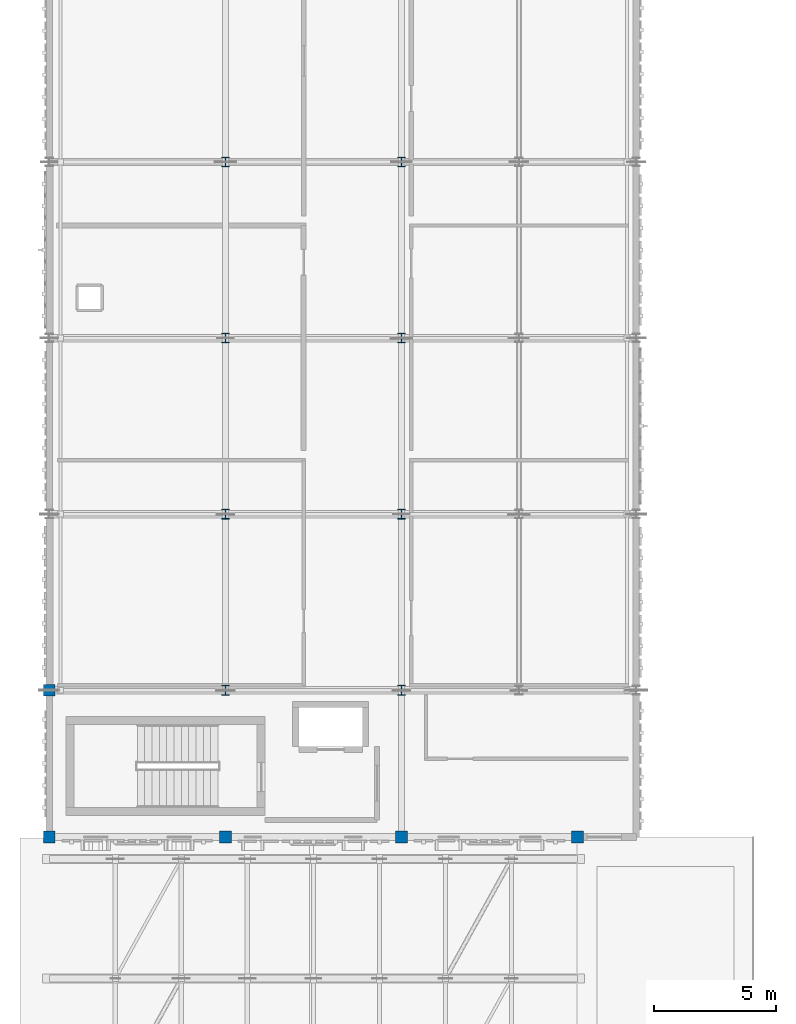
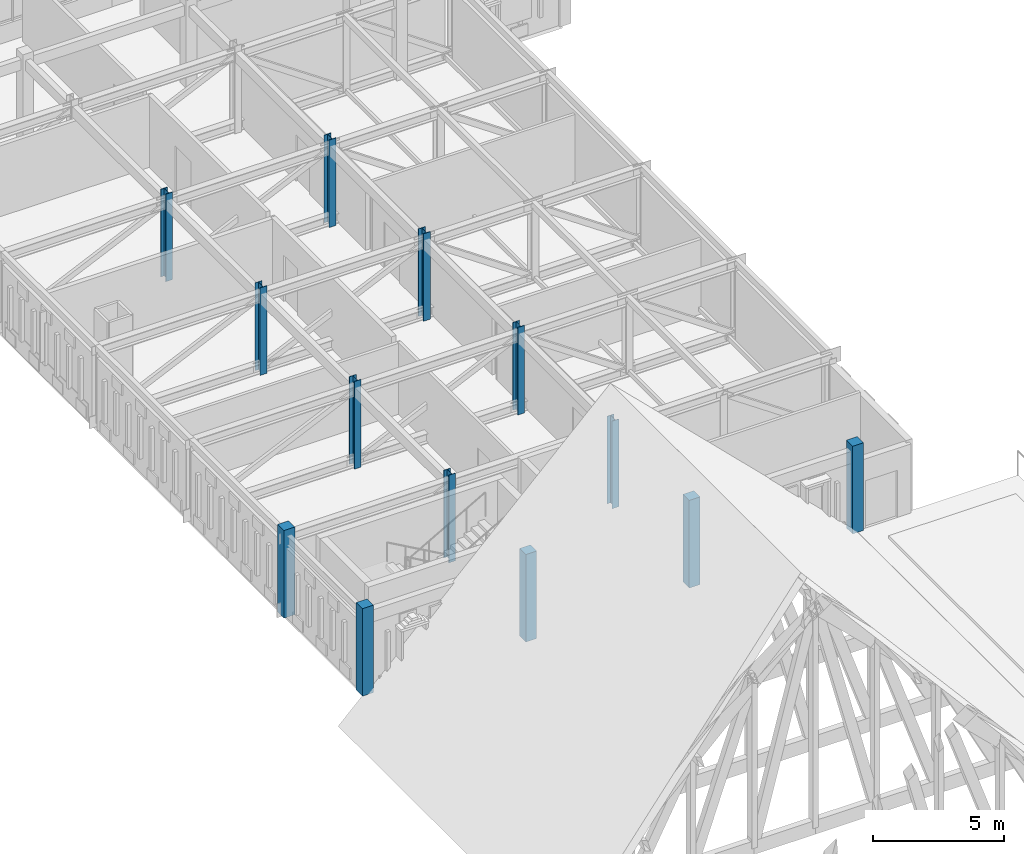
# One storey, part 1 of 79: 13 columns.
"""IFC4 building model written with IfcOpenShell, lengths in metres."""

from ifc_helpers import new_model, si_unit, direction, frame, origin, origin_2d, place, context, subcontext, project, spatial, rectangle, i_section, extrude, material, material_profile, profile_set, type_object, element, save


model = new_model("IFC4")

# Units and contexts
model_context = context("Model", 3, precision=1e-05, world=origin(), true_north=direction((0.0, 1.0)))
body_context = subcontext(model_context, "Body", "Model", "MODEL_VIEW")
ifc_project = project(units=[si_unit("LENGTHUNIT", "METRE"), si_unit("AREAUNIT", "SQUARE_METRE"), si_unit("VOLUMEUNIT", "CUBIC_METRE"), si_unit("PLANEANGLEUNIT", "RADIAN"), si_unit("MASSUNIT", "GRAM", prefix="KILO")], contexts=[model_context])

# Site, building, storey
site_placement = place(None, origin())
site = spatial("IfcSite", under=ifc_project, at=site_placement, CompositionType="ELEMENT")
building_placement = place(site_placement, origin())
building = spatial("IfcBuilding", under=site, at=building_placement, Name="Nzembalo Square Collegiate School", CompositionType="ELEMENT")
storey_placement = place(building_placement, frame((0.0, 0.0, 9.52001953125)))
storey = spatial("IfcBuildingStorey", under=building, at=storey_placement, Name="L02", CompositionType="ELEMENT", Elevation=9.52001953125)

# Columns
ifc_material_1 = material(Name="Glulam GL28h", Category="wood")
ifc_material_profile_1 = material_profile(ifc_material_1, rectangle(XDim=0.47998046875, YDim=0.47998046875, at=origin_2d()), Name="GL28h 480x480")
ifc_profile_set_1 = profile_set([ifc_material_profile_1], Name="Glulam GL28h")
column_type_1 = type_object("IfcColumnType", Name="C05", PredefinedType="COLUMN", material=ifc_profile_set_1)
for number, where, z_axis, x_axis, name in (
    (1, (8.39990234375, 44.39990234375, 0.0), (0.0, 0.0, 1.0), (1.0, 0.0, 0.0), "Column C05 L02 2/G"),
    (2, (8.39990234375, 50.39990234375, 0.0), (0.0, 0.0, 1.0), (1.0, 0.0, 0.0), "Column C05 L02 2/H"),
    (3, (15.60009765625, 44.39990234375, 0.0), (0.0, 0.0, 1.0), (1.0, 0.0, 0.0), "Column C05 L02 3/G"),
    (4, (22.800048828125, 44.39990234375, 0.0), (0.0, 0.0, 1.0), (1.0, 0.0, 0.0), "Column C05 L02 4/G"),
    (5, (30.0, 44.39990234375, 0.0), (0.0, 0.0, 1.0), (1.0, 0.0, 0.0), "Column C05 L02 5/G"),
):
    element("IfcColumn", number, at=place(storey_placement, frame(where, z_axis=z_axis, x_axis=x_axis)), inside=storey, type_object=column_type_1, Name=name, PredefinedType="COLUMN", context=body_context, shape_type="SweptSolid", body=[
        extrude(rectangle(XDim=0.47998046875, YDim=0.47998046875, at=origin_2d()), origin(), (0.0, 0.0, 1.0), 4.080078125),
    ])
ifc_material_2 = material(Name="Steel S355", Category="steel")
ifc_material_profile_2 = material_profile(ifc_material_2, i_section(OverallWidth=0.300048828125, OverallDepth=0.39990234375, WebThickness=0.013427734375, FlangeThickness=0.02392578125, at=origin_2d()), Name="HEB 400")
ifc_profile_set_2 = profile_set([ifc_material_profile_2], Name="Steel S355")
column_type_2 = type_object("IfcColumnType", Name="C07", PredefinedType="COLUMN", material=ifc_profile_set_2)
for number, where, z_axis, x_axis, name in (
    (6, (15.60009765625, 50.39990234375, 0.0), (0.0, 0.0, 1.0), (1.0, 0.0, 0.0), "Column C07 L02 3/H"),
    (7, (15.60009765625, 57.60009765625, 0.0), (0.0, 0.0, 1.0), (1.0, 0.0, 0.0), "Column C07 L02 3/I"),
    (8, (15.60009765625, 64.800048828125, 0.0), (0.0, 0.0, 1.0), (1.0, 0.0, 0.0), "Column C07 L02 3/J"),
    (9, (15.60009765625, 72.0, 0.0), (0.0, 0.0, 1.0), (1.0, 0.0, 0.0), "Column C07 L02 3/K"),
    (10, (22.800048828125, 50.39990234375, 0.0), (0.0, 0.0, 1.0), (1.0, 0.0, 0.0), "Column C07 L02 4/H"),
    (11, (22.800048828125, 57.60009765625, 0.0), (0.0, 0.0, 1.0), (1.0, 0.0, 0.0), "Column C07 L02 4/I"),
    (12, (22.800048828125, 64.800048828125, 0.0), (0.0, 0.0, 1.0), (1.0, 0.0, 0.0), "Column C07 L02 4/J"),
    (13, (22.800048828125, 72.0, 0.0), (0.0, 0.0, 1.0), (1.0, 0.0, 0.0), "Column C07 L02 4/K"),
):
    element("IfcColumn", number, at=place(storey_placement, frame(where, z_axis=z_axis, x_axis=x_axis)), inside=storey, type_object=column_type_2, Name=name, PredefinedType="COLUMN", context=body_context, shape_type="SweptSolid", body=[
        extrude(i_section(OverallWidth=0.300048828125, OverallDepth=0.39990234375, WebThickness=0.013427734375, FlangeThickness=0.02392578125, at=origin_2d()), origin(), (0.0, 0.0, 1.0), 4.080078125),
    ])

save(model, "model.ifc")
